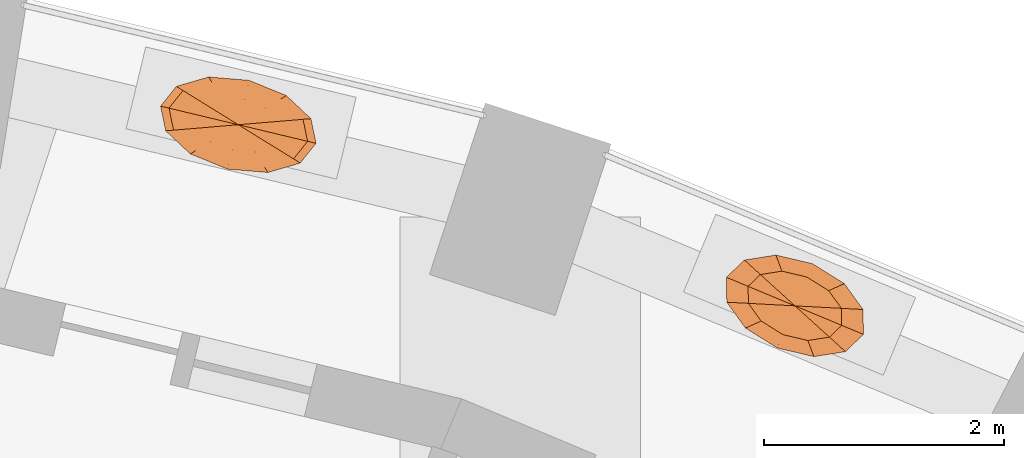
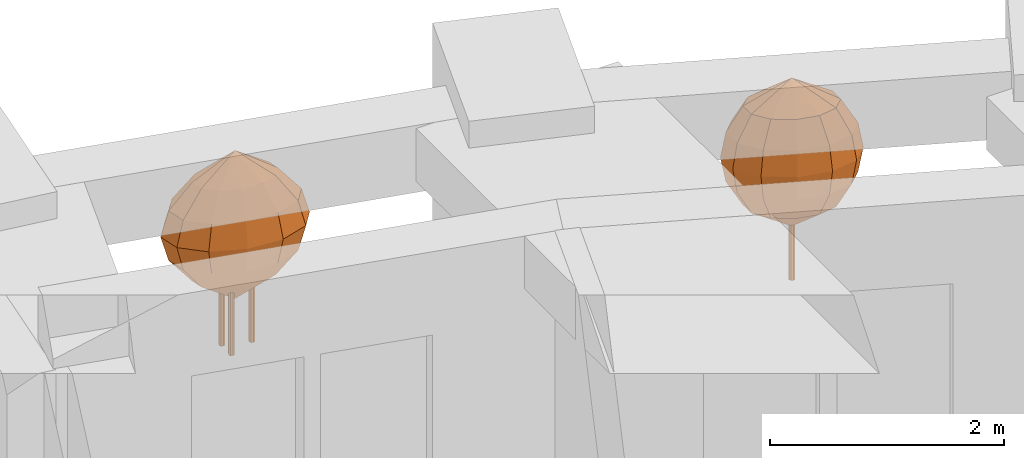
# One storey, part 14 of 14: 2 geographic elements.
"""IFC4 building model written with IfcOpenShell, lengths in metres."""

from ifc_helpers import new_model, si_unit, direction, frame, origin, place, context, subcontext, project, spatial, faceted_brep, material, constituent, constituent_set, type_object, element, save


model = new_model("IFC4")

# Units and contexts
model_context = context("Model", 3, precision=1e-05, world=origin(), true_north=direction((0.0, 1.0)))
body_context = subcontext(model_context, "Body", "Model", "MODEL_VIEW")
ifc_project = project(units=[si_unit("LENGTHUNIT", "METRE"), si_unit("AREAUNIT", "SQUARE_METRE"), si_unit("VOLUMEUNIT", "CUBIC_METRE"), si_unit("PLANEANGLEUNIT", "RADIAN"), si_unit("MASSUNIT", "GRAM", prefix="KILO")], contexts=[model_context])

# Site, building, storey
site_placement = place(None, origin())
site = spatial("IfcSite", under=ifc_project, at=site_placement, CompositionType="ELEMENT")
building_placement = place(site_placement, origin())
building = spatial("IfcBuilding", under=site, at=building_placement, Name="Taillehof Tower", CompositionType="ELEMENT")
storey_placement = place(building_placement, frame((0.0, 0.0, 28.300048828125)))
storey = spatial("IfcBuildingStorey", under=building, at=storey_placement, Name="L06", CompositionType="ELEMENT", Elevation=28.300048828125)

# Geographic elements
ifc_material_1 = material(Name="Tree bark", Category="timber")
ifc_constituent_1 = constituent(ifc_material_1, Name="Trunk", Category="timber")
ifc_material_2 = material(Name="Tree foliage")
ifc_constituent_2 = constituent(ifc_material_2, Name="Crown")
ifc_constituent_set_1 = constituent_set(constituents=[ifc_constituent_1, ifc_constituent_2], Name="Tree TR1 Columnar hornbeam")
geographic_element_type_1 = type_object("IfcGeographicElementType", Name="Tree TR1 Columnar hornbeam", PredefinedType="USERDEFINED", material=ifc_constituent_set_1)
geographic_element_1_placement = place(storey_placement, frame((11.947509765625, 22.923583984375, 0.75)))
element("IfcGeographicElement", 1, at=geographic_element_1_placement, inside=storey, type_object=geographic_element_type_1, Name="Tree TR1 Columnar hornbeam", ObjectType="TREE", PredefinedType="USERDEFINED", context=body_context, shape_type="Brep", body=[
    faceted_brep([(0.030029296875, 0.0, 0.0), (0.021240234375, 0.021240234375, 0.0), (0.021240234375, 0.021240234375, 1.092529296875), (0.030029296875, 0.0, 1.092529296875), (0.0, 0.030029296875, 0.0), (0.0, 0.030029296875, 1.092529296875), (-0.021240234375, 0.021240234375, 0.0), (-0.021240234375, 0.021240234375, 1.092529296875), (-0.030029296875, 0.0, 0.0), (-0.030029296875, 0.0, 1.092529296875), (-0.021240234375, -0.021240234375, 0.0), (-0.021240234375, -0.021240234375, 1.092529296875), (0.0, -0.030029296875, 0.0), (0.0, -0.030029296875, 1.092529296875), (0.021240234375, -0.021240234375, 0.0), (0.021240234375, -0.021240234375, 1.092529296875)], [[[0, 1, 2, 3]], [[1, 4, 5, 2]], [[4, 6, 7, 5]], [[6, 8, 9, 7]], [[8, 10, 11, 9]], [[10, 12, 13, 11]], [[12, 14, 15, 13]], [[14, 0, 3, 15]], [[14, 12, 10, 8, 6, 4, 1, 0]], [[3, 2, 5, 7, 9, 11, 13, 15]]]),
    faceted_brep([(0.0, 0.0, 0.550048828125), (-0.386962890625, 0.020751953125, 0.808349609375), (-0.389404296875, 0.162353515625, 0.808349609375), (-0.28125, -0.126220703125, 0.808349609375), (-0.099853515625, -0.239501953125, 0.808349609375), (0.108154296875, -0.28857421875, 0.808349609375), (0.287109375, -0.26025390625, 0.808349609375), (0.389404296875, -0.162353515625, 0.808349609375), (0.386962890625, -0.020751953125, 0.808349609375), (0.28125, 0.126220703125, 0.808349609375), (0.099853515625, 0.239501953125, 0.808349609375), (-0.108154296875, 0.28857421875, 0.808349609375), (-0.287109375, 0.26025390625, 0.808349609375), (-0.523681640625, 0.028076171875, 1.066650390625), (-0.526611328125, 0.219482421875, 1.066650390625), (-0.38037109375, -0.1708984375, 1.066650390625), (-0.135009765625, -0.323974609375, 1.066650390625), (0.146240234375, -0.390380859375, 1.066650390625), (0.388427734375, -0.35205078125, 1.066650390625), (0.526611328125, -0.219482421875, 1.066650390625), (0.523681640625, -0.028076171875, 1.066650390625), (0.38037109375, 0.1708984375, 1.066650390625), (0.135009765625, 0.323974609375, 1.066650390625), (-0.146240234375, 0.390380859375, 1.066650390625), (-0.388427734375, 0.35205078125, 1.066650390625), (-0.566650390625, 0.0302734375, 1.324951171875), (-0.570068359375, 0.237548828125, 1.324951171875), (-0.41162109375, -0.18505859375, 1.324951171875), (-0.146240234375, -0.350830078125, 1.324951171875), (0.158447265625, -0.422607421875, 1.324951171875), (0.42041015625, -0.381103515625, 1.324951171875), (0.570068359375, -0.237548828125, 1.324951171875), (0.566650390625, -0.0302734375, 1.324951171875), (0.41162109375, 0.18505859375, 1.324951171875), (0.146240234375, 0.350830078125, 1.324951171875), (-0.158447265625, 0.422607421875, 1.324951171875), (-0.42041015625, 0.381103515625, 1.324951171875), (-0.523681640625, 0.028076171875, 1.583251953125), (-0.526611328125, 0.219482421875, 1.583251953125), (-0.38037109375, -0.1708984375, 1.583251953125), (-0.135009765625, -0.323974609375, 1.583251953125), (0.146240234375, -0.390380859375, 1.583251953125), (0.388427734375, -0.35205078125, 1.583251953125), (0.526611328125, -0.219482421875, 1.583251953125), (0.523681640625, -0.028076171875, 1.583251953125), (0.38037109375, 0.1708984375, 1.583251953125), (0.135009765625, 0.323974609375, 1.583251953125), (-0.146240234375, 0.390380859375, 1.583251953125), (-0.388427734375, 0.35205078125, 1.583251953125), (-0.386962890625, 0.020751953125, 1.841552734375), (-0.389404296875, 0.162353515625, 1.841552734375), (-0.28125, -0.126220703125, 1.841552734375), (-0.099853515625, -0.239501953125, 1.841552734375), (0.108154296875, -0.28857421875, 1.841552734375), (0.287109375, -0.26025390625, 1.841552734375), (0.389404296875, -0.162353515625, 1.841552734375), (0.386962890625, -0.020751953125, 1.841552734375), (0.28125, 0.126220703125, 1.841552734375), (0.099853515625, 0.239501953125, 1.841552734375), (-0.108154296875, 0.28857421875, 1.841552734375), (-0.287109375, 0.26025390625, 1.841552734375), (0.0, 0.0, 2.10009765625)], [[[0, 1, 2]], [[0, 3, 1]], [[0, 4, 3]], [[0, 5, 4]], [[0, 6, 5]], [[0, 7, 6]], [[0, 8, 7]], [[0, 9, 8]], [[0, 10, 9]], [[0, 11, 10]], [[0, 12, 11]], [[0, 2, 12]], [[2, 1, 13, 14]], [[1, 3, 15, 13]], [[3, 4, 16, 15]], [[4, 5, 17, 16]], [[5, 6, 18, 17]], [[6, 7, 19, 18]], [[7, 8, 20, 19]], [[8, 9, 21, 20]], [[9, 10, 22, 21]], [[10, 11, 23, 22]], [[11, 12, 24, 23]], [[12, 2, 14, 24]], [[14, 13, 25, 26]], [[13, 15, 27, 25]], [[15, 16, 28, 27]], [[16, 17, 29, 28]], [[17, 18, 30, 29]], [[18, 19, 31, 30]], [[19, 20, 32, 31]], [[20, 21, 33, 32]], [[21, 22, 34, 33]], [[22, 23, 35, 34]], [[23, 24, 36, 35]], [[24, 14, 26, 36]], [[26, 25, 37, 38]], [[25, 27, 39, 37]], [[27, 28, 40, 39]], [[28, 29, 41, 40]], [[29, 30, 42, 41]], [[30, 31, 43, 42]], [[31, 32, 44, 43]], [[32, 33, 45, 44]], [[33, 34, 46, 45]], [[34, 35, 47, 46]], [[35, 36, 48, 47]], [[36, 26, 38, 48]], [[38, 37, 49, 50]], [[37, 39, 51, 49]], [[39, 40, 52, 51]], [[40, 41, 53, 52]], [[41, 42, 54, 53]], [[42, 43, 55, 54]], [[43, 44, 56, 55]], [[44, 45, 57, 56]], [[45, 46, 58, 57]], [[46, 47, 59, 58]], [[47, 48, 60, 59]], [[48, 38, 50, 60]], [[50, 49, 61]], [[49, 51, 61]], [[51, 52, 61]], [[52, 53, 61]], [[53, 54, 61]], [[54, 55, 61]], [[55, 56, 61]], [[56, 57, 61]], [[57, 58, 61]], [[58, 59, 61]], [[59, 60, 61]], [[60, 50, 61]]]),
])
ifc_material_3 = material(Name="Tree bark", Category="timber")
ifc_constituent_3 = constituent(ifc_material_3, Name="Trunk", Category="timber")
ifc_material_4 = material(Name="Tree foliage")
ifc_constituent_4 = constituent(ifc_material_4, Name="Crown")
ifc_constituent_set_2 = constituent_set(constituents=[ifc_constituent_3, ifc_constituent_4], Name="Tree TR3 Multi-stem serviceberry")
geographic_element_type_2 = type_object("IfcGeographicElementType", Name="Tree TR3 Multi-stem serviceberry", PredefinedType="USERDEFINED", material=ifc_constituent_set_2)
geographic_element_2_placement = place(storey_placement, frame((7.31640625, 24.430419921875, 0.75)))
element("IfcGeographicElement", 2, at=geographic_element_2_placement, inside=storey, type_object=geographic_element_type_2, Name="Tree TR3 Multi-stem serviceberry", ObjectType="TREE", PredefinedType="USERDEFINED", context=body_context, shape_type="Brep", body=[
    faceted_brep([(0.195068359375, 0.0, 0.0), (0.186767578125, 0.0205078125, 0.0), (0.186767578125, 0.0205078125, 1.04248046875), (0.195068359375, 0.0, 1.04248046875), (0.166259765625, 0.02880859375, 0.0), (0.166259765625, 0.02880859375, 1.04248046875), (0.145751953125, 0.0205078125, 0.0), (0.145751953125, 0.0205078125, 1.04248046875), (0.137451171875, 0.0, 0.0), (0.137451171875, 0.0, 1.04248046875), (0.145751953125, -0.0205078125, 0.0), (0.145751953125, -0.0205078125, 1.04248046875), (0.166259765625, -0.02880859375, 0.0), (0.166259765625, -0.02880859375, 1.04248046875), (0.186767578125, -0.0205078125, 0.0), (0.186767578125, -0.0205078125, 1.04248046875)], [[[0, 1, 2, 3]], [[1, 4, 5, 2]], [[4, 6, 7, 5]], [[6, 8, 9, 7]], [[8, 10, 11, 9]], [[10, 12, 13, 11]], [[12, 14, 15, 13]], [[14, 0, 3, 15]], [[14, 12, 10, 8, 6, 4, 1, 0]], [[3, 2, 5, 7, 9, 11, 13, 15]]]),
    faceted_brep([(-0.05419921875, 0.082275390625, 0.0), (-0.062744140625, 0.102783203125, 0.0), (-0.062744140625, 0.102783203125, 1.04248046875), (-0.05419921875, 0.082275390625, 1.04248046875), (-0.0830078125, 0.111083984375, 0.0), (-0.0830078125, 0.111083984375, 1.04248046875), (-0.103515625, 0.102783203125, 0.0), (-0.103515625, 0.102783203125, 1.04248046875), (-0.112060546875, 0.082275390625, 0.0), (-0.112060546875, 0.082275390625, 1.04248046875), (-0.103515625, 0.061767578125, 0.0), (-0.103515625, 0.061767578125, 1.04248046875), (-0.0830078125, 0.053466796875, 0.0), (-0.0830078125, 0.053466796875, 1.04248046875), (-0.062744140625, 0.061767578125, 0.0), (-0.062744140625, 0.061767578125, 1.04248046875)], [[[0, 1, 2, 3]], [[1, 4, 5, 2]], [[4, 6, 7, 5]], [[6, 8, 9, 7]], [[8, 10, 11, 9]], [[10, 12, 13, 11]], [[12, 14, 15, 13]], [[14, 0, 3, 15]], [[14, 12, 10, 8, 6, 4, 1, 0]], [[3, 2, 5, 7, 9, 11, 13, 15]]]),
    faceted_brep([(-0.05419921875, -0.082275390625, 0.0), (-0.062744140625, -0.061767578125, 0.0), (-0.062744140625, -0.061767578125, 1.04248046875), (-0.05419921875, -0.082275390625, 1.04248046875), (-0.0830078125, -0.053466796875, 0.0), (-0.0830078125, -0.053466796875, 1.04248046875), (-0.103515625, -0.061767578125, 0.0), (-0.103515625, -0.061767578125, 1.04248046875), (-0.112060546875, -0.082275390625, 0.0), (-0.112060546875, -0.082275390625, 1.04248046875), (-0.103515625, -0.102783203125, 0.0), (-0.103515625, -0.102783203125, 1.04248046875), (-0.0830078125, -0.111083984375, 0.0), (-0.0830078125, -0.111083984375, 1.04248046875), (-0.062744140625, -0.102783203125, 0.0), (-0.062744140625, -0.102783203125, 1.04248046875)], [[[0, 1, 2, 3]], [[1, 4, 5, 2]], [[4, 6, 7, 5]], [[6, 8, 9, 7]], [[8, 10, 11, 9]], [[10, 12, 13, 11]], [[12, 14, 15, 13]], [[14, 0, 3, 15]], [[14, 12, 10, 8, 6, 4, 1, 0]], [[3, 2, 5, 7, 9, 11, 13, 15]]]),
    faceted_brep([(0.0, 0.0, 0.5), (-0.34716796875, -0.029052734375, 0.75830078125), (-0.371337890625, 0.0888671875, 0.75830078125), (-0.229736328125, -0.139404296875, 0.75830078125), (-0.05078125, -0.212158203125, 0.75830078125), (0.1416015625, -0.228271484375, 0.75830078125), (0.296142578125, -0.18310546875, 0.75830078125), (0.371337890625, -0.0888671875, 0.75830078125), (0.34716796875, 0.029052734375, 0.75830078125), (0.229736328125, 0.139404296875, 0.75830078125), (0.05078125, 0.212158203125, 0.75830078125), (-0.1416015625, 0.228271484375, 0.75830078125), (-0.296142578125, 0.18310546875, 0.75830078125), (-0.53857421875, -0.045166015625, 1.0166015625), (-0.576416015625, 0.13818359375, 1.0166015625), (-0.3564453125, -0.21630859375, 1.0166015625), (-0.078857421875, -0.329345703125, 1.0166015625), (0.219970703125, -0.354248046875, 1.0166015625), (0.459716796875, -0.2841796875, 1.0166015625), (0.576416015625, -0.13818359375, 1.0166015625), (0.53857421875, 0.045166015625, 1.0166015625), (0.3564453125, 0.21630859375, 1.0166015625), (0.078857421875, 0.329345703125, 1.0166015625), (-0.219970703125, 0.354248046875, 1.0166015625), (-0.459716796875, 0.2841796875, 1.0166015625), (-0.604248046875, -0.050537109375, 1.27490234375), (-0.646728515625, 0.15478515625, 1.27490234375), (-0.39990234375, -0.24267578125, 1.27490234375), (-0.088623046875, -0.36962890625, 1.27490234375), (0.24658203125, -0.3974609375, 1.27490234375), (0.515869140625, -0.31884765625, 1.27490234375), (0.646728515625, -0.15478515625, 1.27490234375), (0.604248046875, 0.050537109375, 1.27490234375), (0.39990234375, 0.24267578125, 1.27490234375), (0.088623046875, 0.36962890625, 1.27490234375), (-0.24658203125, 0.3974609375, 1.27490234375), (-0.515869140625, 0.31884765625, 1.27490234375), (-0.53857421875, -0.045166015625, 1.533447265625), (-0.576416015625, 0.13818359375, 1.533447265625), (-0.3564453125, -0.21630859375, 1.533447265625), (-0.078857421875, -0.329345703125, 1.533447265625), (0.219970703125, -0.354248046875, 1.533447265625), (0.459716796875, -0.2841796875, 1.533447265625), (0.576416015625, -0.13818359375, 1.533447265625), (0.53857421875, 0.045166015625, 1.533447265625), (0.3564453125, 0.21630859375, 1.533447265625), (0.078857421875, 0.329345703125, 1.533447265625), (-0.219970703125, 0.354248046875, 1.533447265625), (-0.459716796875, 0.2841796875, 1.533447265625), (-0.34716796875, -0.029052734375, 1.791748046875), (-0.371337890625, 0.0888671875, 1.791748046875), (-0.229736328125, -0.139404296875, 1.791748046875), (-0.05078125, -0.212158203125, 1.791748046875), (0.1416015625, -0.228271484375, 1.791748046875), (0.296142578125, -0.18310546875, 1.791748046875), (0.371337890625, -0.0888671875, 1.791748046875), (0.34716796875, 0.029052734375, 1.791748046875), (0.229736328125, 0.139404296875, 1.791748046875), (0.05078125, 0.212158203125, 1.791748046875), (-0.1416015625, 0.228271484375, 1.791748046875), (-0.296142578125, 0.18310546875, 1.791748046875), (0.0, 0.0, 2.050048828125)], [[[0, 1, 2]], [[0, 3, 1]], [[0, 4, 3]], [[0, 5, 4]], [[0, 6, 5]], [[0, 7, 6]], [[0, 8, 7]], [[0, 9, 8]], [[0, 10, 9]], [[0, 11, 10]], [[0, 12, 11]], [[0, 2, 12]], [[2, 1, 13, 14]], [[1, 3, 15, 13]], [[3, 4, 16, 15]], [[4, 5, 17, 16]], [[5, 6, 18, 17]], [[6, 7, 19, 18]], [[7, 8, 20, 19]], [[8, 9, 21, 20]], [[9, 10, 22, 21]], [[10, 11, 23, 22]], [[11, 12, 24, 23]], [[12, 2, 14, 24]], [[14, 13, 25, 26]], [[13, 15, 27, 25]], [[15, 16, 28, 27]], [[16, 17, 29, 28]], [[17, 18, 30, 29]], [[18, 19, 31, 30]], [[19, 20, 32, 31]], [[20, 21, 33, 32]], [[21, 22, 34, 33]], [[22, 23, 35, 34]], [[23, 24, 36, 35]], [[24, 14, 26, 36]], [[26, 25, 37, 38]], [[25, 27, 39, 37]], [[27, 28, 40, 39]], [[28, 29, 41, 40]], [[29, 30, 42, 41]], [[30, 31, 43, 42]], [[31, 32, 44, 43]], [[32, 33, 45, 44]], [[33, 34, 46, 45]], [[34, 35, 47, 46]], [[35, 36, 48, 47]], [[36, 26, 38, 48]], [[38, 37, 49, 50]], [[37, 39, 51, 49]], [[39, 40, 52, 51]], [[40, 41, 53, 52]], [[41, 42, 54, 53]], [[42, 43, 55, 54]], [[43, 44, 56, 55]], [[44, 45, 57, 56]], [[45, 46, 58, 57]], [[46, 47, 59, 58]], [[47, 48, 60, 59]], [[48, 38, 50, 60]], [[50, 49, 61]], [[49, 51, 61]], [[51, 52, 61]], [[52, 53, 61]], [[53, 54, 61]], [[54, 55, 61]], [[55, 56, 61]], [[56, 57, 61]], [[57, 58, 61]], [[58, 59, 61]], [[59, 60, 61]], [[60, 50, 61]]]),
])

save(model, "model.ifc")
